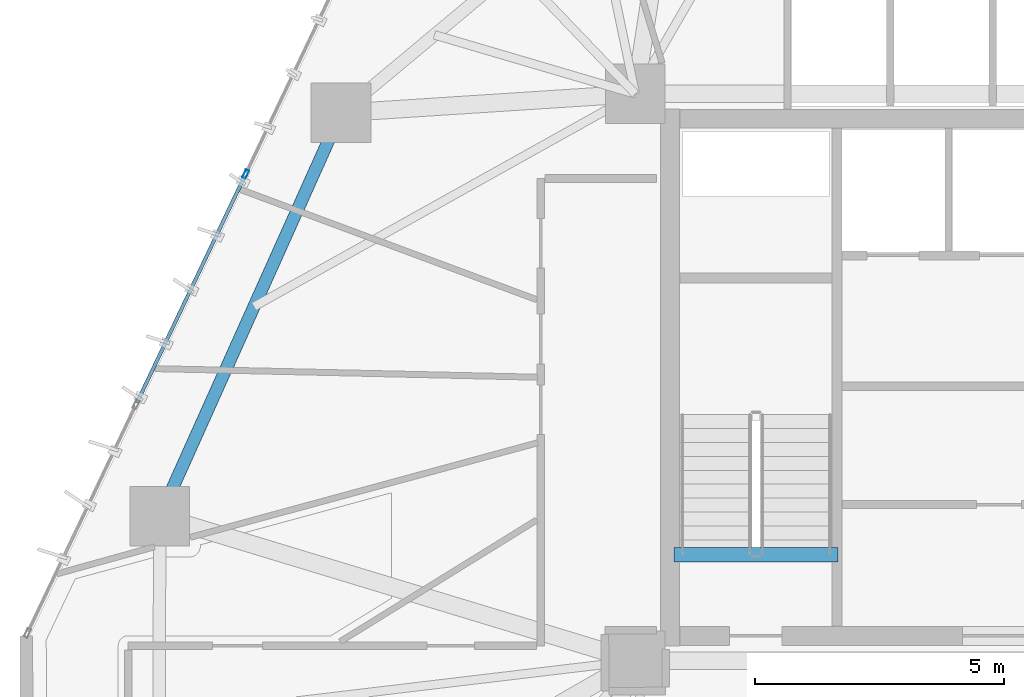
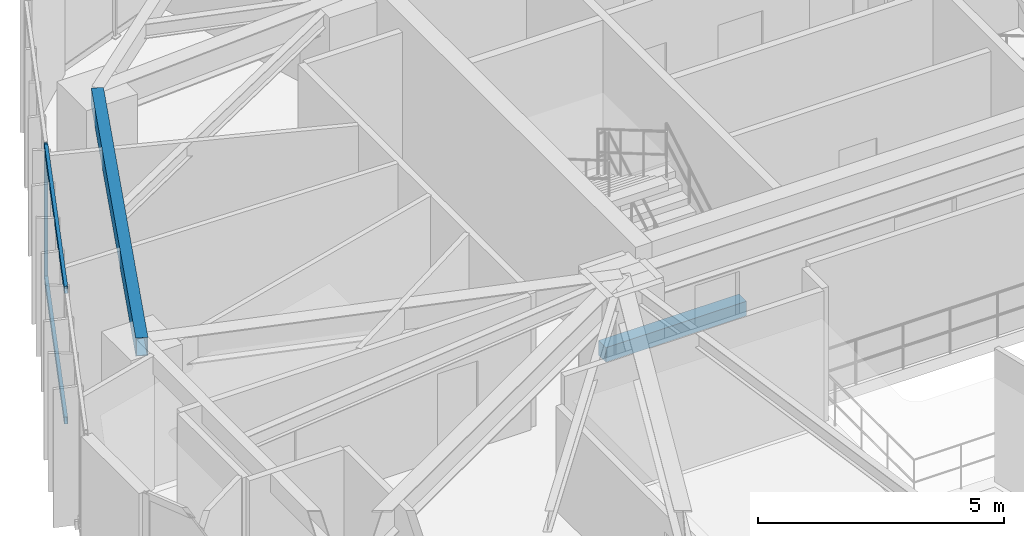
# One storey, part 8 of 22: 3 members, 2 beams, 1 element without a shape of its own.
"""IFC4 building model written with IfcOpenShell, lengths in metres."""

from ifc_helpers import new_model, si_unit, direction, frame, origin, origin_2d, place, context, subcontext, project, spatial, rectangle, hollow_rectangle, extrude, source, transform, mapped, material, layer, layer_set, material_profile, profile_set, type_object, type_shapes, element, aggregate, save


model = new_model("IFC4")

# Units and contexts
model_context = context("Model", 3, precision=1e-05, world=origin(), true_north=direction((0.0, 1.0)))
body_context = subcontext(model_context, "Body", "Model", "MODEL_VIEW")
ifc_project = project(units=[si_unit("LENGTHUNIT", "METRE"), si_unit("AREAUNIT", "SQUARE_METRE"), si_unit("VOLUMEUNIT", "CUBIC_METRE"), si_unit("PLANEANGLEUNIT", "RADIAN"), si_unit("MASSUNIT", "GRAM", prefix="KILO")], contexts=[model_context])

# Site, building, storey
site_placement = place(None, origin())
site = spatial("IfcSite", under=ifc_project, at=site_placement, CompositionType="ELEMENT")
building_placement = place(site_placement, origin())
building = spatial("IfcBuilding", under=site, at=building_placement, Name="Talar Marvaseh", CompositionType="ELEMENT")
storey_placement = place(building_placement, frame((0.0, 0.0, 150.60009765625)))
storey = spatial("IfcBuildingStorey", under=building, at=storey_placement, Name="L39", CompositionType="ELEMENT", Elevation=150.60009765625)

# Beams
ifc_material_1 = material(Name="Concrete C40/50", Category="concrete")
ifc_material_profile_1 = material_profile(ifc_material_1, rectangle(XDim=0.300048828125, YDim=0.360107421875, at=origin_2d()), Name="RC300x360")
ifc_profile_set_1 = profile_set([ifc_material_profile_1], Name="Concrete C40/50")
beam_type_1 = type_object("IfcBeamType", Name="Concrete Stair Landing Trimmer Beam RC300x360", PredefinedType="SPANDREL", material=ifc_profile_set_1)
beam_1_placement = place(storey_placement, frame((22.780029296875, 27.6298828125, -0.18017578125), z_axis=(-1.0, 0.0, 0.0), x_axis=(0.0, -1.0, 0.0)))
element("IfcBeam", 1, at=beam_1_placement, inside=storey, type_object=beam_type_1, Name="L39 ST-1 Stair Nosing Trimmer Beam", PredefinedType="SPANDREL", context=body_context, shape_type="SweptSolid", body=[
    extrude(rectangle(XDim=0.300048828125, YDim=0.360107421875, at=origin_2d()), origin(), (0.0, 0.0, 1.0), 3.300048828125),
])
ifc_material_2 = material(Name="Steel S355", Category="steel")
ifc_material_profile_2 = material_profile(ifc_material_2, hollow_rectangle(XDim=0.25, YDim=0.449951171875, WallThickness=0.01611328125, at=origin_2d()), Name="RHS450x250x16")
ifc_profile_set_2 = profile_set([ifc_material_profile_2], Name="Steel S355")
beam_type_2 = type_object("IfcBeamType", Name="Zone 2 Perimeter Spandrel Beam RHS450x250x16", PredefinedType="SPANDREL", material=ifc_profile_set_2)
beam_2_placement = place(storey_placement, frame((9.137939453125, 28.402099609375, 3.0849609375), z_axis=(0.409461733275, 0.912327292688, 0.0), x_axis=(-0.912327292688, 0.409461733275, 0.0)))
element("IfcBeam", 2, at=beam_2_placement, inside=storey, type_object=beam_type_2, Name="L39 Zone 2 Perimeter Spandrel Beam RHS450x250x16", PredefinedType="SPANDREL", context=body_context, shape_type="SweptSolid", body=[
    extrude(hollow_rectangle(XDim=0.25, YDim=0.449951171875, WallThickness=0.01611328125, at=origin_2d()), origin(), (0.0, 0.0, 1.0), 8.894775390625),
])

# Curtain wall, members
ifc_material_3 = material(Name="Architectural Aluminium", Category="aluminium")
ifc_layer = layer(ifc_material_3, 0.199951171875)
ifc_layer_set = layer_set([ifc_layer], Name="Architectural Aluminium")
curtain_wall_type = type_object("IfcCurtainWallType", Name="Unitised Acoustic Library Curtain Wall Z2", PredefinedType="NOTDEFINED", material=ifc_layer_set)
curtain_wall_placement = place(storey_placement, origin())
curtain_wall = element("IfcCurtainWall", 3, at=curtain_wall_placement, inside=storey, type_object=curtain_wall_type, Name="L39 Unitised Acoustic Library Curtain Wall Z2", PredefinedType="NOTDEFINED")
ifc_material_profile_3 = material_profile(ifc_material_3, hollow_rectangle(XDim=0.074951171875, YDim=0.179931640625, WallThickness=0.0048828125, at=origin_2d()), Name="RHS180x75x5")
ifc_profile_set_3 = profile_set([ifc_material_profile_3], Name="Architectural Aluminium")
member_type_1 = type_object("IfcMemberType", Name="Unitised Curtain Wall Transom RHS180x75x5", PredefinedType="USERDEFINED", material=ifc_profile_set_3)
shared_shape_1 = source(origin(), body_context, "Body", "SweptSolid", [
    extrude(hollow_rectangle(XDim=0.074951171875, YDim=0.179931640625, WallThickness=0.0048828125, at=origin_2d()), origin(), (0.0, 0.0, 1.0), 5.05517578125),
])
type_shapes(member_type_1, [shared_shape_1])
member_1_placement = place(storey_placement, frame((8.677490234375, 30.6865234375, 0.037353515625), z_axis=(0.429449842486, 0.903090711274, 0.0), x_axis=(-0.903090711274, 0.429449842486, 0.0)))
member_1 = element("IfcMember", 4, at=member_1_placement, type_object=member_type_1, Name="CW-Z2 transom 2.1", ObjectType="TRANSOM", PredefinedType="USERDEFINED", context=body_context, shape_type="MappedRepresentation", body=[
    mapped(shared_shape_1, transform((0.0, 0.0, 0.0), x_axis=(1.0, 0.0, 0.0), y_axis=(0.0, 1.0, 0.0), z_axis=(0.0, 0.0, 1.0), scale=1.0)),
])
member_2_placement = place(storey_placement, frame((8.677490234375, 30.6865234375, 3.2724609375), z_axis=(0.429449842486, 0.903090711274, 0.0), x_axis=(-0.903090711274, 0.429449842486, 0.0)))
member_2 = element("IfcMember", 5, at=member_2_placement, type_object=member_type_1, Name="CW-Z2 transom 2.2", ObjectType="TRANSOM", PredefinedType="USERDEFINED", context=body_context, shape_type="MappedRepresentation", body=[
    mapped(shared_shape_1, transform((0.0, 0.0, 0.0), x_axis=(1.0, 0.0, 0.0), y_axis=(0.0, 1.0, 0.0), z_axis=(0.0, 0.0, 1.0), scale=1.0)),
])
ifc_material_profile_4 = material_profile(ifc_material_3, hollow_rectangle(XDim=0.074951171875, YDim=0.179931640625, WallThickness=0.0048828125, at=origin_2d()), Name="RHS180x75x5")
ifc_profile_set_4 = profile_set([ifc_material_profile_4], Name="Architectural Aluminium")
member_type_2 = type_object("IfcMemberType", Name="Unitised Curtain Wall Standard Mullion RHS180x75x5", PredefinedType="MULLION", material=ifc_profile_set_4)
shared_shape_2 = source(origin(), body_context, "Body", "SweptSolid", [
    extrude(hollow_rectangle(XDim=0.074951171875, YDim=0.179931640625, WallThickness=0.0048828125, at=origin_2d()), origin(), (0.0, 0.0, 1.0), 3.309814453125),
])
type_shapes(member_type_2, [shared_shape_2])
member_3_placement = place(storey_placement, frame((10.864501953125, 35.285400390625, 0.0), z_axis=(0.0, 0.0, 1.0), x_axis=(-0.903095669982, 0.429439414656, 0.0)))
member_3 = element("IfcMember", 6, at=member_3_placement, type_object=member_type_2, Name="CW-Z2 mullion 3", PredefinedType="MULLION", context=body_context, shape_type="MappedRepresentation", body=[
    mapped(shared_shape_2, transform((0.0, 0.0, 0.0), x_axis=(1.0, 0.0, 0.0), y_axis=(0.0, 1.0, 0.0), z_axis=(0.0, 0.0, 1.0), scale=1.0)),
])
aggregate(curtain_wall, [member_3, member_1, member_2])

save(model, "model.ifc")
